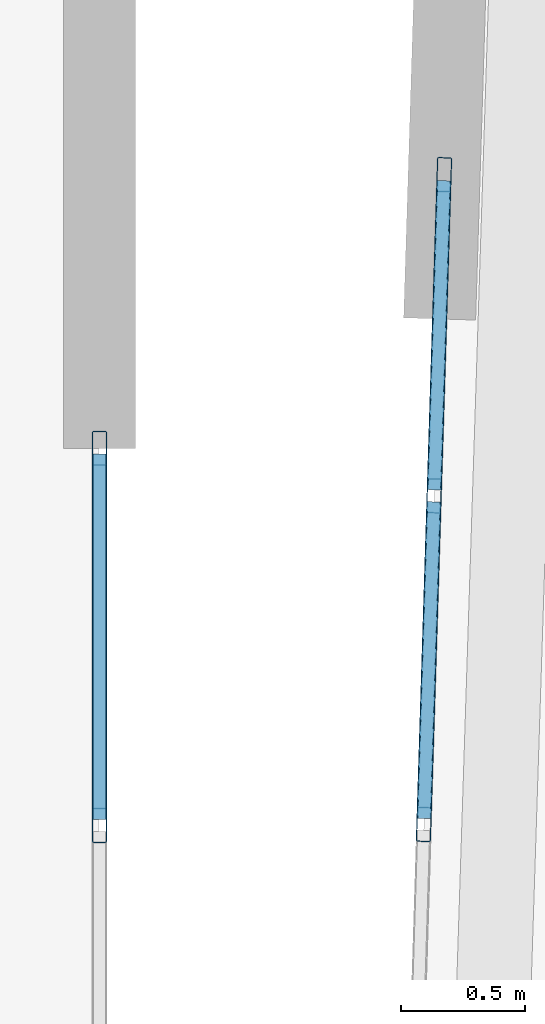
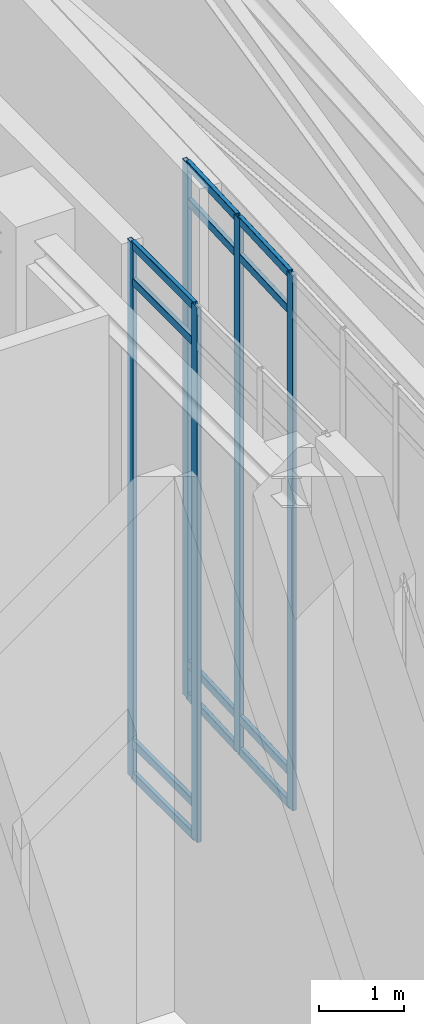
# One storey, part 8 of 12: 17 members, 2 elements without a shape of their own.
"""IFC4 building model written with IfcOpenShell, lengths in metres."""

from ifc_helpers import new_model, si_unit, direction, frame, origin, origin_2d, place, context, subcontext, project, spatial, hollow_rectangle, extrude, material, layer, layer_set, material_profile, profile_set, type_object, element, aggregate, save


model = new_model("IFC4")

# Units and contexts
model_context = context("Model", 3, precision=1e-05, world=origin(), true_north=direction((0.0, 1.0)))
body_context = subcontext(model_context, "Body", "Model", "MODEL_VIEW")
ifc_project = project(units=[si_unit("LENGTHUNIT", "METRE"), si_unit("AREAUNIT", "SQUARE_METRE"), si_unit("VOLUMEUNIT", "CUBIC_METRE"), si_unit("PLANEANGLEUNIT", "RADIAN"), si_unit("MASSUNIT", "GRAM", prefix="KILO")], contexts=[model_context])

# Site, building, storey
site_placement = place(None, origin())
site = spatial("IfcSite", under=ifc_project, at=site_placement, CompositionType="ELEMENT")
building_placement = place(site_placement, origin())
building = spatial("IfcBuilding", under=site, at=building_placement, Name="Ndelora Gate Hotel", CompositionType="ELEMENT")
storey_placement = place(building_placement, frame((0.0, 0.0, 303.60009765625)))
storey = spatial("IfcBuildingStorey", under=building, at=storey_placement, Name="RF1", CompositionType="ELEMENT", Elevation=303.60009765625)

# Curtain wall, members
ifc_material_1 = material(Name="Bronze Anodised Unitised Aluminium and Low-E Glass", Category="aluminium")
ifc_layer = layer(ifc_material_1, 0.199951171875)
ifc_layer_set = layer_set([ifc_layer], Name="Bronze Anodised Unitised Aluminium and Low-E Glass")
curtain_wall_type = type_object("IfcCurtainWallType", Name="CW-SYS-8", PredefinedType="NOTDEFINED", material=ifc_layer_set)
curtain_wall_1_placement = place(storey_placement, origin())
curtain_wall_1 = element("IfcCurtainWall", 1, at=curtain_wall_1_placement, inside=storey, type_object=curtain_wall_type, Name="RF1 Split-Crown West Cleft Lantern Curtain Wall CW8-2", PredefinedType="NOTDEFINED")
ifc_material_2 = material(Name="Bronze Anodised Aluminium 6063-T6", Category="aluminium")
ifc_material_profile_1 = material_profile(ifc_material_2, hollow_rectangle(XDim=0.06005859375, YDim=0.139892578125, WallThickness=0.00390625, InnerFilletRadius=0.00390625, OuterFilletRadius=0.008056640625, at=origin_2d()), Name="ALU 140x60x4")
ifc_profile_set_1 = profile_set([ifc_material_profile_1], Name="Bronze Anodised Aluminium 6063-T6")
member_type_1 = type_object("IfcMemberType", Name="MB-CW-MUL140", PredefinedType="MULLION", material=ifc_profile_set_1)
member_1_placement = place(storey_placement, frame((8.85009765625, 4.0, -0.004150390625), z_axis=(0.0, 0.0, 1.0), x_axis=(-1.0, 0.0, 0.0)))
member_1 = element("IfcMember", 2, at=member_1_placement, type_object=member_type_1, Name="CW8 mullion 3", PredefinedType="MULLION", context=body_context, shape_type="SweptSolid", body=[
    extrude(hollow_rectangle(XDim=0.06005859375, YDim=0.139892578125, WallThickness=0.00390625, InnerFilletRadius=0.00390625, OuterFilletRadius=0.008056640625, at=origin_2d()), origin(), (0.0, 0.0, 1.0), 7.72802734375),
])
member_2_placement = place(storey_placement, frame((8.85009765625, 5.52001953125, -0.004150390625), z_axis=(0.0, 0.0, 1.0), x_axis=(-1.0, 0.0, 0.0)))
member_2 = element("IfcMember", 3, at=member_2_placement, type_object=member_type_1, Name="CW8 mullion 4", PredefinedType="MULLION", context=body_context, shape_type="SweptSolid", body=[
    extrude(hollow_rectangle(XDim=0.06005859375, YDim=0.139892578125, WallThickness=0.00390625, InnerFilletRadius=0.00390625, OuterFilletRadius=0.008056640625, at=origin_2d()), origin(), (0.0, 0.0, 1.0), 7.72802734375),
])

curtain_wall_2_placement = place(storey_placement, origin())
curtain_wall_2 = element("IfcCurtainWall", 4, at=curtain_wall_2_placement, inside=storey, type_object=curtain_wall_type, Name="RF1 Split-Crown East Cleft Lantern Curtain Wall CW8", PredefinedType="NOTDEFINED")
member_3_placement = place(storey_placement, frame((10.23876953125, 6.622314453125, -0.004150390625), z_axis=(0.0, 0.0, 1.0), x_axis=(0.999515302198, -0.031131345484, 0.0)))
member_3 = element("IfcMember", 5, at=member_3_placement, type_object=member_type_1, Name="CW8 mullion 1", PredefinedType="MULLION", context=body_context, shape_type="SweptSolid", body=[
    extrude(hollow_rectangle(XDim=0.06005859375, YDim=0.139892578125, WallThickness=0.00390625, InnerFilletRadius=0.00390625, OuterFilletRadius=0.008056640625, at=origin_2d()), origin(), (0.0, 0.0, 1.0), 7.72802734375),
])
member_4_placement = place(storey_placement, frame((10.198486328125, 5.328125, -0.004150390625), z_axis=(0.0, 0.0, 1.0), x_axis=(0.999515302198, -0.031131345484, 0.0)))
member_4 = element("IfcMember", 6, at=member_4_placement, type_object=member_type_1, Name="CW8 mullion 2", PredefinedType="MULLION", context=body_context, shape_type="SweptSolid", body=[
    extrude(hollow_rectangle(XDim=0.06005859375, YDim=0.139892578125, WallThickness=0.00390625, InnerFilletRadius=0.00390625, OuterFilletRadius=0.008056640625, at=origin_2d()), origin(), (0.0, 0.0, 1.0), 7.72802734375),
])
member_5_placement = place(storey_placement, frame((10.1572265625, 4.004150390625, -0.004150390625), z_axis=(0.0, 0.0, 1.0), x_axis=(0.999515302198, -0.031131345484, 0.0)))
member_5 = element("IfcMember", 7, at=member_5_placement, type_object=member_type_1, Name="CW8 mullion 3", PredefinedType="MULLION", context=body_context, shape_type="SweptSolid", body=[
    extrude(hollow_rectangle(XDim=0.06005859375, YDim=0.139892578125, WallThickness=0.00390625, InnerFilletRadius=0.00390625, OuterFilletRadius=0.008056640625, at=origin_2d()), origin(), (0.0, 0.0, 1.0), 7.72802734375),
])

# Member
ifc_material_profile_2 = material_profile(ifc_material_2, hollow_rectangle(XDim=0.06005859375, YDim=0.1201171875, WallThickness=0.00390625, InnerFilletRadius=0.00390625, OuterFilletRadius=0.008056640625, at=origin_2d()), Name="ALU 120x60x4")
ifc_profile_set_2 = profile_set([ifc_material_profile_2], Name="Bronze Anodised Aluminium 6063-T6")
member_type_2 = type_object("IfcMemberType", Name="MB-CW-TRN120", PredefinedType="USERDEFINED", material=ifc_profile_set_2)
member_6_placement = place(storey_placement, frame((8.85009765625, 4.02392578125, 0.02978515625), z_axis=(0.0, 1.0, 0.0), x_axis=(-1.0, 0.0, 0.0)))
member_6 = element("IfcMember", 8, at=member_6_placement, type_object=member_type_2, Name="CW8 transom 3.1", ObjectType="TRANSOM", PredefinedType="USERDEFINED", context=body_context, shape_type="SweptSolid", body=[
    extrude(hollow_rectangle(XDim=0.06005859375, YDim=0.1201171875, WallThickness=0.00390625, InnerFilletRadius=0.00390625, OuterFilletRadius=0.008056640625, at=origin_2d()), origin(), (0.0, 0.0, 1.0), 1.47216796875),
])

member_7_placement = place(storey_placement, frame((8.85009765625, 4.02392578125, 0.5), z_axis=(0.0, 1.0, 0.0), x_axis=(-1.0, 0.0, 0.0)))
member_7 = element("IfcMember", 9, at=member_7_placement, type_object=member_type_2, Name="CW8 transom 3.2", ObjectType="TRANSOM", PredefinedType="USERDEFINED", context=body_context, shape_type="SweptSolid", body=[
    extrude(hollow_rectangle(XDim=0.06005859375, YDim=0.1201171875, WallThickness=0.00390625, InnerFilletRadius=0.00390625, OuterFilletRadius=0.008056640625, at=origin_2d()), origin(), (0.0, 0.0, 1.0), 1.47216796875),
])

member_8_placement = place(storey_placement, frame((8.85009765625, 4.02392578125, 7.169921875), z_axis=(0.0, 1.0, 0.0), x_axis=(-1.0, 0.0, 0.0)))
member_8 = element("IfcMember", 10, at=member_8_placement, type_object=member_type_2, Name="CW8 transom 3.3", ObjectType="TRANSOM", PredefinedType="USERDEFINED", context=body_context, shape_type="SweptSolid", body=[
    extrude(hollow_rectangle(XDim=0.06005859375, YDim=0.1201171875, WallThickness=0.00390625, InnerFilletRadius=0.00390625, OuterFilletRadius=0.008056640625, at=origin_2d()), origin(), (0.0, 0.0, 1.0), 1.47216796875),
])

member_9_placement = place(storey_placement, frame((8.85009765625, 4.02392578125, 7.68994140625), z_axis=(0.0, 1.0, 0.0), x_axis=(-1.0, 0.0, 0.0)))
member_9 = element("IfcMember", 11, at=member_9_placement, type_object=member_type_2, Name="CW8 transom 3.4", ObjectType="TRANSOM", PredefinedType="USERDEFINED", context=body_context, shape_type="SweptSolid", body=[
    extrude(hollow_rectangle(XDim=0.06005859375, YDim=0.1201171875, WallThickness=0.00390625, InnerFilletRadius=0.00390625, OuterFilletRadius=0.008056640625, at=origin_2d()), origin(), (0.0, 0.0, 1.0), 1.47216796875),
])

aggregate(curtain_wall_1, [member_1, member_2, member_6, member_7, member_8, member_9])

member_10_placement = place(storey_placement, frame((10.238037109375, 6.59814453125, 0.02978515625), z_axis=(-0.031143028646, -0.999514938241, 0.0), x_axis=(0.999514938241, -0.031143028646, 0.0)))
member_10 = element("IfcMember", 12, at=member_10_placement, type_object=member_type_2, Name="CW8 transom 1.1", ObjectType="TRANSOM", PredefinedType="USERDEFINED", context=body_context, shape_type="SweptSolid", body=[
    extrude(hollow_rectangle(XDim=0.06005859375, YDim=0.1201171875, WallThickness=0.00390625, InnerFilletRadius=0.00390625, OuterFilletRadius=0.008056640625, at=origin_2d()), origin(), (0.0, 0.0, 1.0), 1.246337890625),
])

member_11_placement = place(storey_placement, frame((10.238037109375, 6.59814453125, 0.5), z_axis=(-0.031143028646, -0.999514938241, 0.0), x_axis=(0.999514938241, -0.031143028646, 0.0)))
member_11 = element("IfcMember", 13, at=member_11_placement, type_object=member_type_2, Name="CW8 transom 1.2", ObjectType="TRANSOM", PredefinedType="USERDEFINED", context=body_context, shape_type="SweptSolid", body=[
    extrude(hollow_rectangle(XDim=0.06005859375, YDim=0.1201171875, WallThickness=0.00390625, InnerFilletRadius=0.00390625, OuterFilletRadius=0.008056640625, at=origin_2d()), origin(), (0.0, 0.0, 1.0), 1.246337890625),
])

member_12_placement = place(storey_placement, frame((10.238037109375, 6.59814453125, 7.169921875), z_axis=(-0.031143028646, -0.999514938241, 0.0), x_axis=(0.999514938241, -0.031143028646, 0.0)))
member_12 = element("IfcMember", 14, at=member_12_placement, type_object=member_type_2, Name="CW8 transom 1.3", ObjectType="TRANSOM", PredefinedType="USERDEFINED", context=body_context, shape_type="SweptSolid", body=[
    extrude(hollow_rectangle(XDim=0.06005859375, YDim=0.1201171875, WallThickness=0.00390625, InnerFilletRadius=0.00390625, OuterFilletRadius=0.008056640625, at=origin_2d()), origin(), (0.0, 0.0, 1.0), 1.246337890625),
])

member_13_placement = place(storey_placement, frame((10.238037109375, 6.59814453125, 7.68994140625), z_axis=(-0.031143028646, -0.999514938241, 0.0), x_axis=(0.999514938241, -0.031143028646, 0.0)))
member_13 = element("IfcMember", 15, at=member_13_placement, type_object=member_type_2, Name="CW8 transom 1.4", ObjectType="TRANSOM", PredefinedType="USERDEFINED", context=body_context, shape_type="SweptSolid", body=[
    extrude(hollow_rectangle(XDim=0.06005859375, YDim=0.1201171875, WallThickness=0.00390625, InnerFilletRadius=0.00390625, OuterFilletRadius=0.008056640625, at=origin_2d()), origin(), (0.0, 0.0, 1.0), 1.246337890625),
])

member_14_placement = place(storey_placement, frame((10.19775390625, 5.30419921875, 0.02978515625), z_axis=(-0.031175042529, -0.999513940235, 0.0), x_axis=(0.999513940235, -0.031175042529, 0.0)))
member_14 = element("IfcMember", 16, at=member_14_placement, type_object=member_type_2, Name="CW8 transom 2.1", ObjectType="TRANSOM", PredefinedType="USERDEFINED", context=body_context, shape_type="SweptSolid", body=[
    extrude(hollow_rectangle(XDim=0.06005859375, YDim=0.1201171875, WallThickness=0.00390625, InnerFilletRadius=0.00390625, OuterFilletRadius=0.008056640625, at=origin_2d()), origin(), (0.0, 0.0, 1.0), 1.276611328125),
])

member_15_placement = place(storey_placement, frame((10.19775390625, 5.30419921875, 0.5), z_axis=(-0.031175042529, -0.999513940235, 0.0), x_axis=(0.999513940235, -0.031175042529, 0.0)))
member_15 = element("IfcMember", 17, at=member_15_placement, type_object=member_type_2, Name="CW8 transom 2.2", ObjectType="TRANSOM", PredefinedType="USERDEFINED", context=body_context, shape_type="SweptSolid", body=[
    extrude(hollow_rectangle(XDim=0.06005859375, YDim=0.1201171875, WallThickness=0.00390625, InnerFilletRadius=0.00390625, OuterFilletRadius=0.008056640625, at=origin_2d()), origin(), (0.0, 0.0, 1.0), 1.276611328125),
])

member_16_placement = place(storey_placement, frame((10.19775390625, 5.30419921875, 7.169921875), z_axis=(-0.031175042529, -0.999513940235, 0.0), x_axis=(0.999513940235, -0.031175042529, 0.0)))
member_16 = element("IfcMember", 18, at=member_16_placement, type_object=member_type_2, Name="CW8 transom 2.3", ObjectType="TRANSOM", PredefinedType="USERDEFINED", context=body_context, shape_type="SweptSolid", body=[
    extrude(hollow_rectangle(XDim=0.06005859375, YDim=0.1201171875, WallThickness=0.00390625, InnerFilletRadius=0.00390625, OuterFilletRadius=0.008056640625, at=origin_2d()), origin(), (0.0, 0.0, 1.0), 1.276611328125),
])

member_17_placement = place(storey_placement, frame((10.19775390625, 5.30419921875, 7.68994140625), z_axis=(-0.031175042529, -0.999513940235, 0.0), x_axis=(0.999513940235, -0.031175042529, 0.0)))
member_17 = element("IfcMember", 19, at=member_17_placement, type_object=member_type_2, Name="CW8 transom 2.4", ObjectType="TRANSOM", PredefinedType="USERDEFINED", context=body_context, shape_type="SweptSolid", body=[
    extrude(hollow_rectangle(XDim=0.06005859375, YDim=0.1201171875, WallThickness=0.00390625, InnerFilletRadius=0.00390625, OuterFilletRadius=0.008056640625, at=origin_2d()), origin(), (0.0, 0.0, 1.0), 1.276611328125),
])

aggregate(curtain_wall_2, [member_3, member_4, member_5, member_10, member_11, member_12, member_13, member_14, member_15, member_16, member_17])

save(model, "model.ifc")
